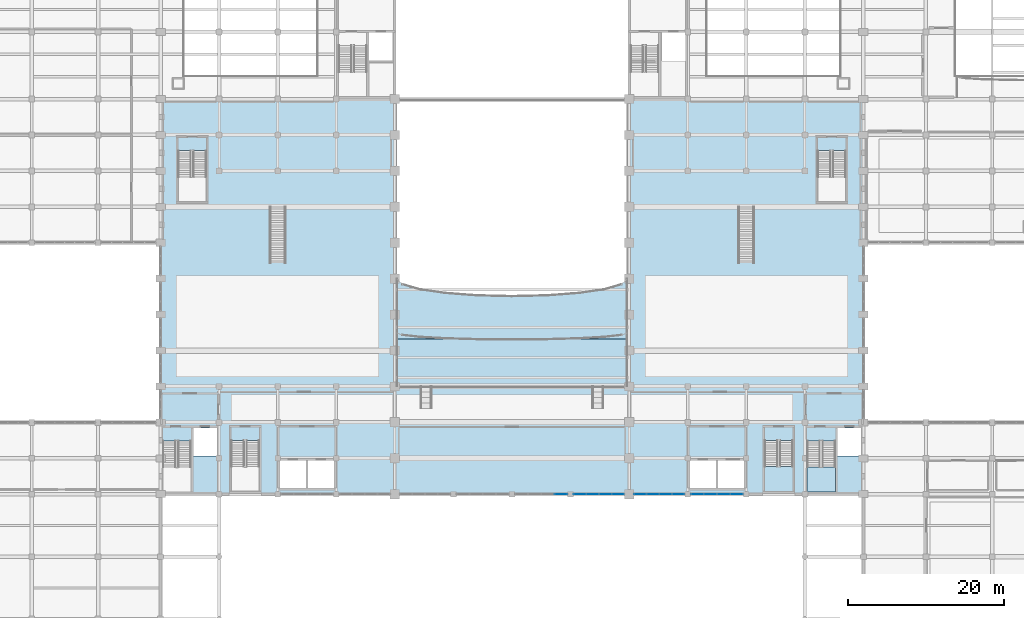
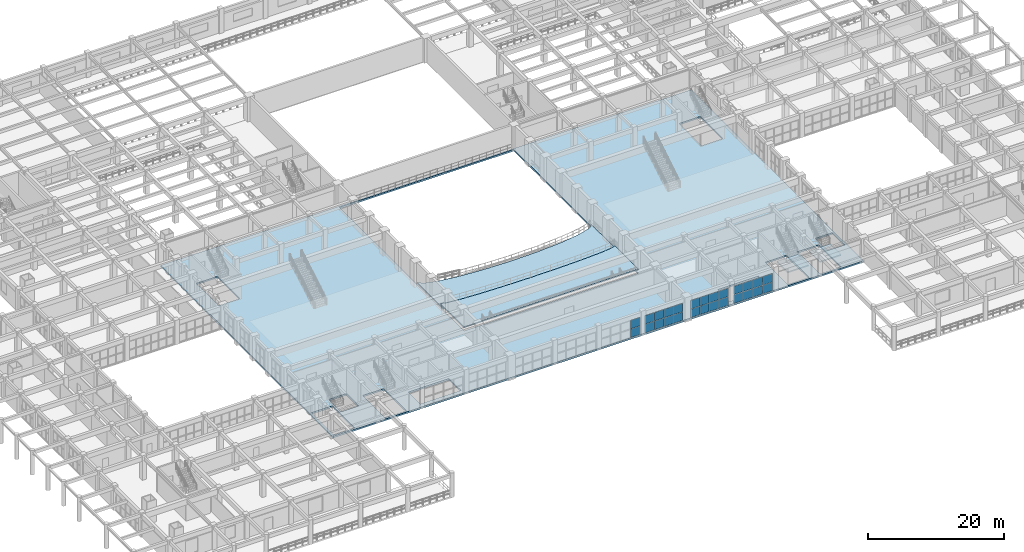
# One storey, part 88 of 116: 26 plates, 5 slabs, 6 elements without a shape of their own.
"""IFC4 building model written with IfcOpenShell, lengths in metres."""

from ifc_helpers import new_model, si_unit, direction, frame, origin, origin_2d, place, context, subcontext, project, spatial, polyline, rectangle, outline, extrude, material, layer, layer_set, type_object, element, aggregate, save


model = new_model("IFC4")

# Units and contexts
model_context = context("Model", 3, precision=1e-05, world=origin(), true_north=direction((0.0, 1.0)))
body_context = subcontext(model_context, "Body", "Model", "MODEL_VIEW")
ifc_project = project(units=[si_unit("LENGTHUNIT", "METRE"), si_unit("AREAUNIT", "SQUARE_METRE"), si_unit("VOLUMEUNIT", "CUBIC_METRE"), si_unit("PLANEANGLEUNIT", "RADIAN"), si_unit("MASSUNIT", "GRAM", prefix="KILO")], contexts=[model_context])

# Site, building, storey
site_placement = place(None, origin())
site = spatial("IfcSite", under=ifc_project, at=site_placement, CompositionType="ELEMENT")
building_placement = place(site_placement, origin())
building = spatial("IfcBuilding", under=site, at=building_placement, Name="Muzn Square Opera House", CompositionType="ELEMENT")
storey_placement = place(building_placement, frame((0.0, 0.0, 5.39990234375)))
storey = spatial("IfcBuildingStorey", under=building, at=storey_placement, Name="L01", CompositionType="ELEMENT", Elevation=5.39990234375)

# Slabs
ifc_material_1 = material(Name="Concrete C40/50", Category="concrete")
ifc_layer_1 = layer(ifc_material_1, 0.199951171875, Name="Concrete C40/50", Category="concrete")
ifc_layer_set_1 = layer_set([ifc_layer_1], Name="Concrete C40/50")
slab_type_1 = type_object("IfcSlabType", Name="Auditorium Seating Tier 200mm", PredefinedType="USERDEFINED", material=ifc_layer_set_1)
slab_1_placement = place(storey_placement, frame((0.0, 0.0, 0.52001953125)))
element("IfcSlab", 1, at=slab_1_placement, inside=storey, type_object=slab_type_1, Name="Opera Hall Dress Circle Seating Tier 1", ObjectType="SEATING TIER", PredefinedType="USERDEFINED", context=body_context, shape_type="SweptSolid", body=[
    extrude(outline(polyline([(73.2099609375, 35.800048828125), (102.7900390625, 35.800048828125), (102.7900390625, 42.699951171875), (102.066162109375, 42.437255859375), (99.96533203125, 42.200439453125), (96.693359375, 42.01220703125), (92.5703125, 41.8916015625), (88.0, 41.85009765625), (83.4296875, 41.8916015625), (79.306640625, 42.01220703125), (76.03466796875, 42.200439453125), (73.933837890625, 42.437255859375), (73.2099609375, 42.699951171875), (73.2099609375, 35.800048828125)])), origin(), (0.0, 0.0, 1.0), 0.2001953125),
])
slab_2_placement = place(storey_placement, frame((0.0, 0.0, 0.16015625)))
element("IfcSlab", 2, at=slab_2_placement, inside=storey, type_object=slab_type_1, Name="Opera Hall Dress Circle Seating Tier 2", ObjectType="SEATING TIER", PredefinedType="USERDEFINED", context=body_context, shape_type="SweptSolid", body=[
    extrude(outline(polyline([(73.2099609375, 41.85009765625), (102.7900390625, 41.85009765625), (102.7900390625, 49.60009765625), (102.066162109375, 48.920166015625), (99.96533203125, 48.306884765625), (96.693359375, 47.8203125), (92.5703125, 47.5078125), (88.0, 47.39990234375), (83.4296875, 47.5078125), (79.306640625, 47.8203125), (76.03466796875, 48.306884765625), (73.933837890625, 48.920166015625), (73.2099609375, 49.60009765625), (73.2099609375, 41.85009765625)])), origin(), (0.0, 0.0, 1.0), 0.199951171875),
])

# Curtain wall, plates
ifc_material_2 = material(Name="Low-E laminated acoustic double glazing", Category="glass")
ifc_layer_2 = layer(ifc_material_2, 0.159912109375, Name="Low-E laminated acoustic double glazing", Category="glass")
ifc_layer_set_2 = layer_set([ifc_layer_2], Name="Low-E laminated acoustic double glazing")
curtain_wall_type_1 = type_object("IfcCurtainWallType", Name="Glazed Curtain Wall Forecourt 6750x3200", PredefinedType="USERDEFINED", material=ifc_layer_set_2)
curtain_wall_1_placement = place(storey_placement, origin())
curtain_wall_1 = element("IfcCurtainWall", 3, at=curtain_wall_1_placement, inside=storey, type_object=curtain_wall_type_1, Name="Glazed Curtain Wall CW-L01-007", ObjectType="GLAZED CURTAIN WALL", PredefinedType="USERDEFINED")
ifc_layer_3 = layer(ifc_material_2, 0.028076171875, Name="Low-E laminated acoustic double glazing", Category="glass")
ifc_layer_set_3 = layer_set([ifc_layer_3], Name="Low-E laminated acoustic double glazing")
plate_type = type_object("IfcPlateType", Name="Curtain Wall Acoustic Glazed Panel 28mm", PredefinedType="CURTAIN_PANEL", material=ifc_layer_set_3)
plate_1_placement = place(storey_placement, frame((94.266357421875, 22.0, 0.06005859375), z_axis=(0.0, 0.0, 1.0), x_axis=(1.0, 0.0, 0.0)))
plate_1 = element("IfcPlate", 4, at=plate_1_placement, type_object=plate_type, Name="CW-FC-67x32 panel 4.1", PredefinedType="CURTAIN_PANEL", context=body_context, shape_type="SweptSolid", body=[
    extrude(rectangle(XDim=1.597412109375, YDim=0.028076171875, at=origin_2d()), origin(), (0.0, 0.0, 1.0), 1.510009765625),
])
plate_2_placement = place(storey_placement, frame((94.266357421875, 22.0, 1.6298828125), z_axis=(0.0, 0.0, 1.0), x_axis=(1.0, 0.0, 0.0)))
plate_2 = element("IfcPlate", 5, at=plate_2_placement, type_object=plate_type, Name="CW-FC-67x32 panel 4.2", PredefinedType="CURTAIN_PANEL", context=body_context, shape_type="SweptSolid", body=[
    extrude(rectangle(XDim=1.597412109375, YDim=0.028076171875, at=origin_2d()), origin(), (0.0, 0.0, 1.0), 1.510009765625),
])
aggregate(curtain_wall_1, [plate_1, plate_2])

ifc_layer_4 = layer(ifc_material_2, 0.159912109375, Name="Low-E laminated acoustic double glazing", Category="glass")
ifc_layer_set_4 = layer_set([ifc_layer_4], Name="Low-E laminated acoustic double glazing")
curtain_wall_type_2 = type_object("IfcCurtainWallType", Name="Glazed Curtain Wall Forecourt 6525x3200", PredefinedType="USERDEFINED", material=ifc_layer_set_4)
curtain_wall_2_placement = place(storey_placement, origin())
curtain_wall_2 = element("IfcCurtainWall", 6, at=curtain_wall_2_placement, inside=storey, type_object=curtain_wall_type_2, Name="Glazed Curtain Wall CW-L01-008", ObjectType="GLAZED CURTAIN WALL", PredefinedType="USERDEFINED")
plate_3_placement = place(storey_placement, frame((96.70556640625, 22.0, 0.06005859375), z_axis=(0.0, 0.0, 1.0), x_axis=(1.0, 0.0, 0.0)))
plate_3 = element("IfcPlate", 7, at=plate_3_placement, type_object=plate_type, Name="CW-FC-65x32 panel 1.1", PredefinedType="CURTAIN_PANEL", context=body_context, shape_type="SweptSolid", body=[
    extrude(rectangle(XDim=1.541259765625, YDim=0.028076171875, at=origin_2d()), origin(), (0.0, 0.0, 1.0), 1.510009765625),
])
plate_4_placement = place(storey_placement, frame((96.70556640625, 22.0, 1.6298828125), z_axis=(0.0, 0.0, 1.0), x_axis=(1.0, 0.0, 0.0)))
plate_4 = element("IfcPlate", 8, at=plate_4_placement, type_object=plate_type, Name="CW-FC-65x32 panel 1.2", PredefinedType="CURTAIN_PANEL", context=body_context, shape_type="SweptSolid", body=[
    extrude(rectangle(XDim=1.541259765625, YDim=0.028076171875, at=origin_2d()), origin(), (0.0, 0.0, 1.0), 1.510009765625),
])
plate_5_placement = place(storey_placement, frame((98.32177734375, 22.0, 0.06005859375), z_axis=(0.0, 0.0, 1.0), x_axis=(1.0, 0.0, 0.0)))
plate_5 = element("IfcPlate", 9, at=plate_5_placement, type_object=plate_type, Name="CW-FC-65x32 panel 2.1", PredefinedType="CURTAIN_PANEL", context=body_context, shape_type="SweptSolid", body=[
    extrude(rectangle(XDim=1.5712890625, YDim=0.028076171875, at=origin_2d()), origin(), (0.0, 0.0, 1.0), 1.510009765625),
])
plate_6_placement = place(storey_placement, frame((98.32177734375, 22.0, 1.6298828125), z_axis=(0.0, 0.0, 1.0), x_axis=(1.0, 0.0, 0.0)))
plate_6 = element("IfcPlate", 10, at=plate_6_placement, type_object=plate_type, Name="CW-FC-65x32 panel 2.2", PredefinedType="CURTAIN_PANEL", context=body_context, shape_type="SweptSolid", body=[
    extrude(rectangle(XDim=1.5712890625, YDim=0.028076171875, at=origin_2d()), origin(), (0.0, 0.0, 1.0), 1.510009765625),
])
plate_7_placement = place(storey_placement, frame((99.953125, 22.0, 0.06005859375), z_axis=(0.0, 0.0, 1.0), x_axis=(1.0, 0.0, 0.0)))
plate_7 = element("IfcPlate", 11, at=plate_7_placement, type_object=plate_type, Name="CW-FC-65x32 panel 3.1", PredefinedType="CURTAIN_PANEL", context=body_context, shape_type="SweptSolid", body=[
    extrude(rectangle(XDim=1.5712890625, YDim=0.028076171875, at=origin_2d()), origin(), (0.0, 0.0, 1.0), 1.510009765625),
])
plate_8_placement = place(storey_placement, frame((99.953125, 22.0, 1.6298828125), z_axis=(0.0, 0.0, 1.0), x_axis=(1.0, 0.0, 0.0)))
plate_8 = element("IfcPlate", 12, at=plate_8_placement, type_object=plate_type, Name="CW-FC-65x32 panel 3.2", PredefinedType="CURTAIN_PANEL", context=body_context, shape_type="SweptSolid", body=[
    extrude(rectangle(XDim=1.5712890625, YDim=0.028076171875, at=origin_2d()), origin(), (0.0, 0.0, 1.0), 1.510009765625),
])
plate_9_placement = place(storey_placement, frame((101.5693359375, 22.0, 0.06005859375), z_axis=(0.0, 0.0, 1.0), x_axis=(1.0, 0.0, 0.0)))
plate_9 = element("IfcPlate", 13, at=plate_9_placement, type_object=plate_type, Name="CW-FC-65x32 panel 4.1", PredefinedType="CURTAIN_PANEL", context=body_context, shape_type="SweptSolid", body=[
    extrude(rectangle(XDim=1.541259765625, YDim=0.028076171875, at=origin_2d()), origin(), (0.0, 0.0, 1.0), 1.510009765625),
])
plate_10_placement = place(storey_placement, frame((101.5693359375, 22.0, 1.6298828125), z_axis=(0.0, 0.0, 1.0), x_axis=(1.0, 0.0, 0.0)))
plate_10 = element("IfcPlate", 14, at=plate_10_placement, type_object=plate_type, Name="CW-FC-65x32 panel 4.2", PredefinedType="CURTAIN_PANEL", context=body_context, shape_type="SweptSolid", body=[
    extrude(rectangle(XDim=1.541259765625, YDim=0.028076171875, at=origin_2d()), origin(), (0.0, 0.0, 1.0), 1.510009765625),
])
aggregate(curtain_wall_2, [plate_3, plate_4, plate_5, plate_6, plate_7, plate_8, plate_9, plate_10])

curtain_wall_3_placement = place(storey_placement, origin())
curtain_wall_3 = element("IfcCurtainWall", 15, at=curtain_wall_3_placement, inside=storey, type_object=curtain_wall_type_2, Name="Glazed Curtain Wall CW-L01-009", ObjectType="GLAZED CURTAIN WALL", PredefinedType="USERDEFINED")
plate_11_placement = place(storey_placement, frame((104.4306640625, 22.0, 0.06005859375), z_axis=(0.0, 0.0, 1.0), x_axis=(1.0, 0.0, 0.0)))
plate_11 = element("IfcPlate", 16, at=plate_11_placement, type_object=plate_type, Name="CW-FC-65x32 panel 1.1", PredefinedType="CURTAIN_PANEL", context=body_context, shape_type="SweptSolid", body=[
    extrude(rectangle(XDim=1.541259765625, YDim=0.028076171875, at=origin_2d()), origin(), (0.0, 0.0, 1.0), 1.510009765625),
])
plate_12_placement = place(storey_placement, frame((104.4306640625, 22.0, 1.6298828125), z_axis=(0.0, 0.0, 1.0), x_axis=(1.0, 0.0, 0.0)))
plate_12 = element("IfcPlate", 17, at=plate_12_placement, type_object=plate_type, Name="CW-FC-65x32 panel 1.2", PredefinedType="CURTAIN_PANEL", context=body_context, shape_type="SweptSolid", body=[
    extrude(rectangle(XDim=1.541259765625, YDim=0.028076171875, at=origin_2d()), origin(), (0.0, 0.0, 1.0), 1.510009765625),
])
plate_13_placement = place(storey_placement, frame((106.046875, 22.0, 0.06005859375), z_axis=(0.0, 0.0, 1.0), x_axis=(1.0, 0.0, 0.0)))
plate_13 = element("IfcPlate", 18, at=plate_13_placement, type_object=plate_type, Name="CW-FC-65x32 panel 2.1", PredefinedType="CURTAIN_PANEL", context=body_context, shape_type="SweptSolid", body=[
    extrude(rectangle(XDim=1.5712890625, YDim=0.028076171875, at=origin_2d()), origin(), (0.0, 0.0, 1.0), 1.510009765625),
])
plate_14_placement = place(storey_placement, frame((106.046875, 22.0, 1.6298828125), z_axis=(0.0, 0.0, 1.0), x_axis=(1.0, 0.0, 0.0)))
plate_14 = element("IfcPlate", 19, at=plate_14_placement, type_object=plate_type, Name="CW-FC-65x32 panel 2.2", PredefinedType="CURTAIN_PANEL", context=body_context, shape_type="SweptSolid", body=[
    extrude(rectangle(XDim=1.5712890625, YDim=0.028076171875, at=origin_2d()), origin(), (0.0, 0.0, 1.0), 1.510009765625),
])
plate_15_placement = place(storey_placement, frame((107.67822265625, 22.0, 0.06005859375), z_axis=(0.0, 0.0, 1.0), x_axis=(1.0, 0.0, 0.0)))
plate_15 = element("IfcPlate", 20, at=plate_15_placement, type_object=plate_type, Name="CW-FC-65x32 panel 3.1", PredefinedType="CURTAIN_PANEL", context=body_context, shape_type="SweptSolid", body=[
    extrude(rectangle(XDim=1.5712890625, YDim=0.028076171875, at=origin_2d()), origin(), (0.0, 0.0, 1.0), 1.510009765625),
])
plate_16_placement = place(storey_placement, frame((107.67822265625, 22.0, 1.6298828125), z_axis=(0.0, 0.0, 1.0), x_axis=(1.0, 0.0, 0.0)))
plate_16 = element("IfcPlate", 21, at=plate_16_placement, type_object=plate_type, Name="CW-FC-65x32 panel 3.2", PredefinedType="CURTAIN_PANEL", context=body_context, shape_type="SweptSolid", body=[
    extrude(rectangle(XDim=1.5712890625, YDim=0.028076171875, at=origin_2d()), origin(), (0.0, 0.0, 1.0), 1.510009765625),
])
plate_17_placement = place(storey_placement, frame((109.29443359375, 22.0, 0.06005859375), z_axis=(0.0, 0.0, 1.0), x_axis=(1.0, 0.0, 0.0)))
plate_17 = element("IfcPlate", 22, at=plate_17_placement, type_object=plate_type, Name="CW-FC-65x32 panel 4.1", PredefinedType="CURTAIN_PANEL", context=body_context, shape_type="SweptSolid", body=[
    extrude(rectangle(XDim=1.541259765625, YDim=0.028076171875, at=origin_2d()), origin(), (0.0, 0.0, 1.0), 1.510009765625),
])
plate_18_placement = place(storey_placement, frame((109.29443359375, 22.0, 1.6298828125), z_axis=(0.0, 0.0, 1.0), x_axis=(1.0, 0.0, 0.0)))
plate_18 = element("IfcPlate", 23, at=plate_18_placement, type_object=plate_type, Name="CW-FC-65x32 panel 4.2", PredefinedType="CURTAIN_PANEL", context=body_context, shape_type="SweptSolid", body=[
    extrude(rectangle(XDim=1.541259765625, YDim=0.028076171875, at=origin_2d()), origin(), (0.0, 0.0, 1.0), 1.510009765625),
])
aggregate(curtain_wall_3, [plate_11, plate_12, plate_13, plate_14, plate_15, plate_16, plate_17, plate_18])

curtain_wall_4_placement = place(storey_placement, origin())
curtain_wall_4 = element("IfcCurtainWall", 24, at=curtain_wall_4_placement, inside=storey, type_object=curtain_wall_type_1, Name="Glazed Curtain Wall CW-L01-010", ObjectType="GLAZED CURTAIN WALL", PredefinedType="USERDEFINED")
plate_19_placement = place(storey_placement, frame((111.733642578125, 22.0, 0.06005859375), z_axis=(0.0, 0.0, 1.0), x_axis=(1.0, 0.0, 0.0)))
plate_19 = element("IfcPlate", 25, at=plate_19_placement, type_object=plate_type, Name="CW-FC-67x32 panel 1.1", PredefinedType="CURTAIN_PANEL", context=body_context, shape_type="SweptSolid", body=[
    extrude(rectangle(XDim=1.597412109375, YDim=0.028076171875, at=origin_2d()), origin(), (0.0, 0.0, 1.0), 1.510009765625),
])
plate_20_placement = place(storey_placement, frame((111.733642578125, 22.0, 1.6298828125), z_axis=(0.0, 0.0, 1.0), x_axis=(1.0, 0.0, 0.0)))
plate_20 = element("IfcPlate", 26, at=plate_20_placement, type_object=plate_type, Name="CW-FC-67x32 panel 1.2", PredefinedType="CURTAIN_PANEL", context=body_context, shape_type="SweptSolid", body=[
    extrude(rectangle(XDim=1.597412109375, YDim=0.028076171875, at=origin_2d()), origin(), (0.0, 0.0, 1.0), 1.510009765625),
])
plate_21_placement = place(storey_placement, frame((113.40625, 22.0, 0.06005859375), z_axis=(0.0, 0.0, 1.0), x_axis=(1.0, 0.0, 0.0)))
plate_21 = element("IfcPlate", 27, at=plate_21_placement, type_object=plate_type, Name="CW-FC-67x32 panel 2.1", PredefinedType="CURTAIN_PANEL", context=body_context, shape_type="SweptSolid", body=[
    extrude(rectangle(XDim=1.62744140625, YDim=0.028076171875, at=origin_2d()), origin(), (0.0, 0.0, 1.0), 1.510009765625),
])
plate_22_placement = place(storey_placement, frame((113.40625, 22.0, 1.6298828125), z_axis=(0.0, 0.0, 1.0), x_axis=(1.0, 0.0, 0.0)))
plate_22 = element("IfcPlate", 28, at=plate_22_placement, type_object=plate_type, Name="CW-FC-67x32 panel 2.2", PredefinedType="CURTAIN_PANEL", context=body_context, shape_type="SweptSolid", body=[
    extrude(rectangle(XDim=1.62744140625, YDim=0.028076171875, at=origin_2d()), origin(), (0.0, 0.0, 1.0), 1.510009765625),
])
plate_23_placement = place(storey_placement, frame((115.09375, 22.0, 0.06005859375), z_axis=(0.0, 0.0, 1.0), x_axis=(1.0, 0.0, 0.0)))
plate_23 = element("IfcPlate", 29, at=plate_23_placement, type_object=plate_type, Name="CW-FC-67x32 panel 3.1", PredefinedType="CURTAIN_PANEL", context=body_context, shape_type="SweptSolid", body=[
    extrude(rectangle(XDim=1.62744140625, YDim=0.028076171875, at=origin_2d()), origin(), (0.0, 0.0, 1.0), 1.510009765625),
])
plate_24_placement = place(storey_placement, frame((115.09375, 22.0, 1.6298828125), z_axis=(0.0, 0.0, 1.0), x_axis=(1.0, 0.0, 0.0)))
plate_24 = element("IfcPlate", 30, at=plate_24_placement, type_object=plate_type, Name="CW-FC-67x32 panel 3.2", PredefinedType="CURTAIN_PANEL", context=body_context, shape_type="SweptSolid", body=[
    extrude(rectangle(XDim=1.62744140625, YDim=0.028076171875, at=origin_2d()), origin(), (0.0, 0.0, 1.0), 1.510009765625),
])
plate_25_placement = place(storey_placement, frame((116.766357421875, 22.0, 0.06005859375), z_axis=(0.0, 0.0, 1.0), x_axis=(1.0, 0.0, 0.0)))
plate_25 = element("IfcPlate", 31, at=plate_25_placement, type_object=plate_type, Name="CW-FC-67x32 panel 4.1", PredefinedType="CURTAIN_PANEL", context=body_context, shape_type="SweptSolid", body=[
    extrude(rectangle(XDim=1.597412109375, YDim=0.028076171875, at=origin_2d()), origin(), (0.0, 0.0, 1.0), 1.510009765625),
])
plate_26_placement = place(storey_placement, frame((116.766357421875, 22.0, 1.6298828125), z_axis=(0.0, 0.0, 1.0), x_axis=(1.0, 0.0, 0.0)))
plate_26 = element("IfcPlate", 32, at=plate_26_placement, type_object=plate_type, Name="CW-FC-67x32 panel 4.2", PredefinedType="CURTAIN_PANEL", context=body_context, shape_type="SweptSolid", body=[
    extrude(rectangle(XDim=1.597412109375, YDim=0.028076171875, at=origin_2d()), origin(), (0.0, 0.0, 1.0), 1.510009765625),
])
aggregate(curtain_wall_4, [plate_19, plate_20, plate_21, plate_22, plate_23, plate_24, plate_25, plate_26])

# Slab
ifc_layer_5 = layer(ifc_material_1, 0.280029296875, Name="Concrete C40/50", Category="concrete")
ifc_layer_set_5 = layer_set([ifc_layer_5], Name="Concrete C40/50")
slab_type_2 = type_object("IfcSlabType", Name="Floor Slab 280mm", PredefinedType="FLOOR", material=ifc_layer_set_5)
slab_3_placement = place(storey_placement, frame((0.0, 0.0, -0.27978515625)))
element("IfcSlab", 33, at=slab_3_placement, inside=storey, type_object=slab_type_2, Name="Floor Slab SLB-L01-HALL", PredefinedType="FLOOR", context=body_context, shape_type="SweptSolid", body=[
    extrude(outline(polyline([(43.0, 22.0), (133.0, 22.0), (133.0, 72.60009765625), (43.0, 72.60009765625), (43.0, 22.0)]), holes=[polyline([(73.2099609375, 35.800048828125), (102.7900390625, 35.800048828125), (102.7900390625, 72.35009765625), (73.2099609375, 72.35009765625), (73.2099609375, 35.800048828125)]), polyline([(43.300048828125, 22.300048828125), (46.89990234375, 22.300048828125), (46.89990234375, 28.83203125), (43.300048828125, 28.83203125), (43.300048828125, 22.300048828125)]), polyline([(47.199951171875, 26.89990234375), (50.199951171875, 26.89990234375), (50.199951171875, 30.5), (47.199951171875, 30.5), (47.199951171875, 26.89990234375)]), polyline([(125.800048828125, 22.300048828125), (129.39990234375, 22.300048828125), (129.39990234375, 28.83203125), (125.800048828125, 28.83203125), (125.800048828125, 22.300048828125)]), polyline([(129.699951171875, 26.89990234375), (132.699951171875, 26.89990234375), (132.699951171875, 30.5), (129.699951171875, 30.5), (129.699951171875, 26.89990234375)]), polyline([(58.300048828125, 22.800048828125), (65.199951171875, 22.800048828125), (65.199951171875, 26.300048828125), (58.300048828125, 26.300048828125), (58.300048828125, 22.800048828125)]), polyline([(110.800048828125, 22.800048828125), (117.699951171875, 22.800048828125), (117.699951171875, 26.300048828125), (110.800048828125, 26.300048828125), (110.800048828125, 22.800048828125)]), polyline([(45.25, 59.449951171875), (48.85009765625, 59.449951171875), (48.85009765625, 65.98193359375), (45.25, 65.98193359375), (45.25, 59.449951171875)]), polyline([(127.14990234375, 59.449951171875), (130.75, 59.449951171875), (130.75, 65.98193359375), (127.14990234375, 65.98193359375), (127.14990234375, 59.449951171875)]), polyline([(52.050048828125, 22.35009765625), (55.64990234375, 22.35009765625), (55.64990234375, 28.882080078125), (52.050048828125, 28.882080078125), (52.050048828125, 22.35009765625)]), polyline([(120.35009765625, 22.35009765625), (123.949951171875, 22.35009765625), (123.949951171875, 28.882080078125), (120.35009765625, 28.882080078125), (120.35009765625, 22.35009765625)])]), origin(), (0.0, 0.0, 1.0), 0.27978515625),
])

# Stair, slab
stair_type = type_object("IfcStairType", Name="Core Escape Dogleg Stair", PredefinedType="HALF_TURN_STAIR", material=ifc_material_1)
stair_1_placement = place(storey_placement, origin())
stair_1 = element("IfcStair", 34, at=stair_1_placement, inside=storey, type_object=stair_type, Name="L01 Escape Stair ST-4", PredefinedType="HALF_TURN_STAIR")
ifc_layer_6 = layer(ifc_material_1, 0.199951171875, Name="Concrete C40/50", Category="concrete")
ifc_layer_set_6 = layer_set([ifc_layer_6], Name="Concrete C40/50")
slab_type_3 = type_object("IfcSlabType", Name="Stair Half Landing 200mm", PredefinedType="LANDING", material=ifc_layer_set_6)
slab_4_placement = place(storey_placement, frame((0.0, 0.0, 2.0)))
slab_4 = element("IfcSlab", 35, at=slab_4_placement, type_object=slab_type_3, Name="ST-4 landing 1", PredefinedType="LANDING", context=body_context, shape_type="SweptSolid", body=[
    extrude(outline(polyline([(125.800048828125, 25.47998046875), (125.800048828125, 22.300048828125), (129.39990234375, 22.300048828125), (129.39990234375, 25.47998046875), (125.800048828125, 25.47998046875)])), origin(), (0.0, 0.0, 1.0), 0.2001953125),
])
aggregate(stair_1, [slab_4])

stair_2_placement = place(storey_placement, origin())
stair_2 = element("IfcStair", 36, at=stair_2_placement, inside=storey, type_object=stair_type, Name="L01 Escape Stair ST-12", PredefinedType="HALF_TURN_STAIR")
slab_5_placement = place(storey_placement, frame((0.0, 0.0, 2.0)))
slab_5 = element("IfcSlab", 37, at=slab_5_placement, type_object=slab_type_3, Name="ST-12 landing 1", PredefinedType="LANDING", context=body_context, shape_type="SweptSolid", body=[
    extrude(outline(polyline([(120.35009765625, 25.530029296875), (120.35009765625, 22.35009765625), (123.949951171875, 22.35009765625), (123.949951171875, 25.530029296875), (120.35009765625, 25.530029296875)])), origin(), (0.0, 0.0, 1.0), 0.2001953125),
])
aggregate(stair_2, [slab_5])

save(model, "model.ifc")
